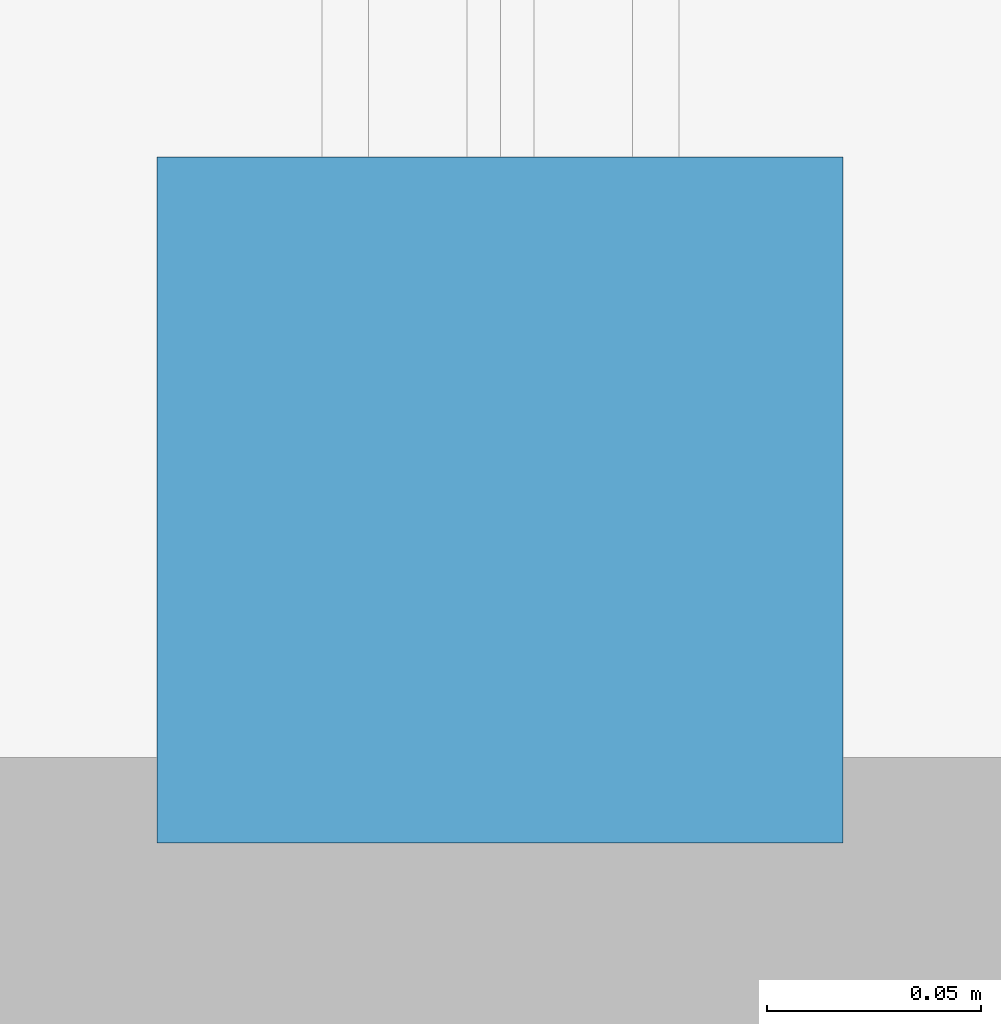
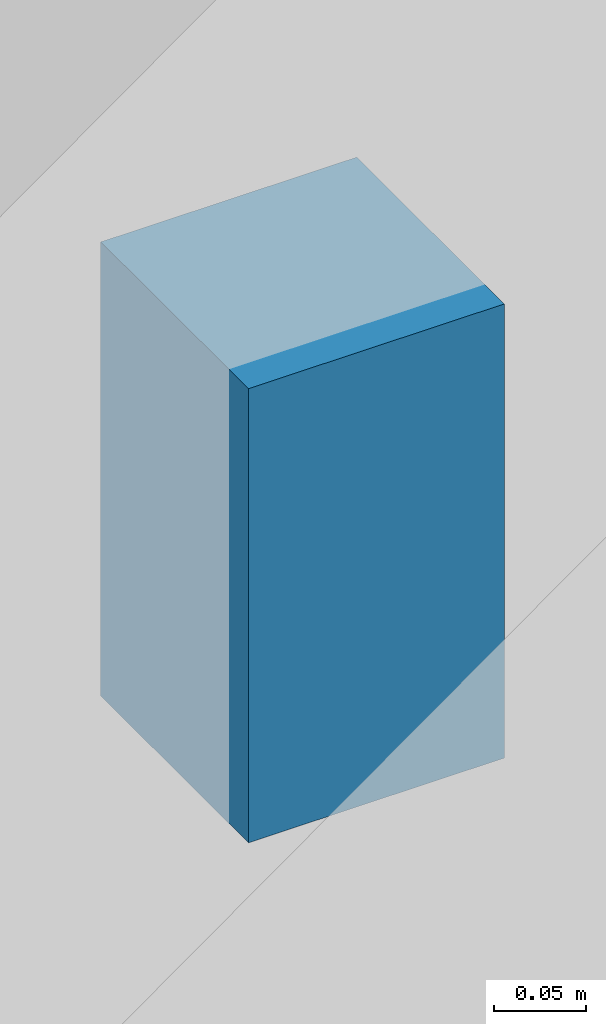
# One storey, part 26 of 27: 1 discrete accessory.
"""IFC4 building model written with IfcOpenShell, lengths in metres."""

from ifc_helpers import new_model, si_unit, direction, frame, origin, origin_2d, place, context, subcontext, project, spatial, rectangle, extrude, material, type_object, element, save


model = new_model("IFC4")

# Units and contexts
model_context = context("Model", 3, precision=1e-05, world=origin(), true_north=direction((0.0, 1.0)))
body_context = subcontext(model_context, "Body", "Model", "MODEL_VIEW")
ifc_project = project(units=[si_unit("LENGTHUNIT", "METRE"), si_unit("AREAUNIT", "SQUARE_METRE"), si_unit("VOLUMEUNIT", "CUBIC_METRE"), si_unit("PLANEANGLEUNIT", "RADIAN"), si_unit("MASSUNIT", "GRAM", prefix="KILO")], contexts=[model_context])

# Site, building, storey
site_placement = place(None, origin())
site = spatial("IfcSite", under=ifc_project, at=site_placement, CompositionType="ELEMENT")
building_placement = place(site_placement, origin())
building = spatial("IfcBuilding", under=site, at=building_placement, Name="Vellmiral Cinema and Media Centre", CompositionType="ELEMENT")
storey_placement = place(building_placement, frame((0.0, 0.0, 19.800048828125)))
storey = spatial("IfcBuildingStorey", under=building, at=storey_placement, Name="L04", CompositionType="ELEMENT", Elevation=19.800048828125)

# Discrete accessory
ifc_material = material(Name="Steel S355", Category="steel")
discrete_accessory_type = type_object("IfcDiscreteAccessoryType", Name="ACC-LIFT-GUIDE", PredefinedType="BRACKET", material=ifc_material)
discrete_accessory_placement = place(storey_placement, frame((90.39990234375, 66.110107421875, 2.39990234375), z_axis=(0.0, 0.0, 1.0), x_axis=(1.0, 0.0, 0.0)))
element("IfcDiscreteAccessory", 1, at=discrete_accessory_placement, inside=storey, type_object=discrete_accessory_type, Name="Lift Guide and Overrun Bracket LF-G1", PredefinedType="BRACKET", context=body_context, shape_type="SweptSolid", body=[
    extrude(rectangle(XDim=0.159912109375, YDim=0.159912109375, at=origin_2d()), origin(), (0.0, 0.0, 1.0), 0.300048828125),
])

save(model, "model.ifc")
